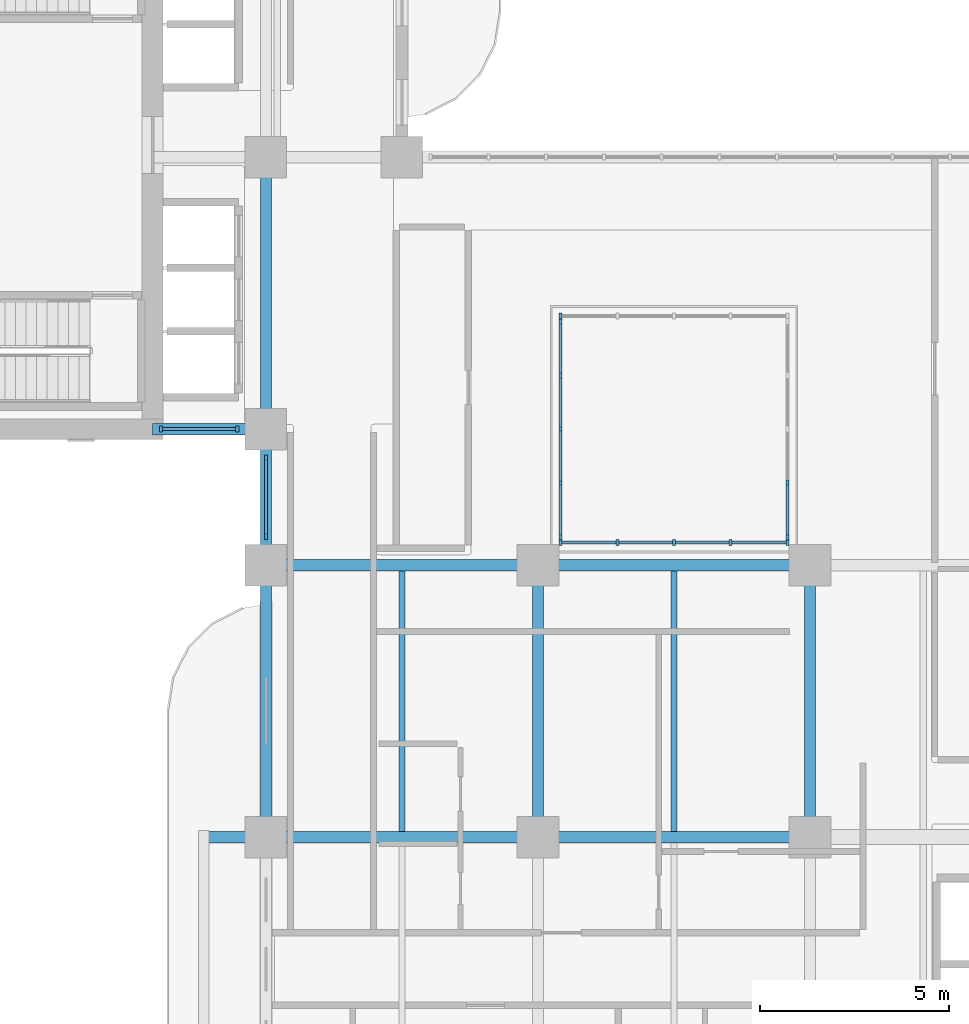
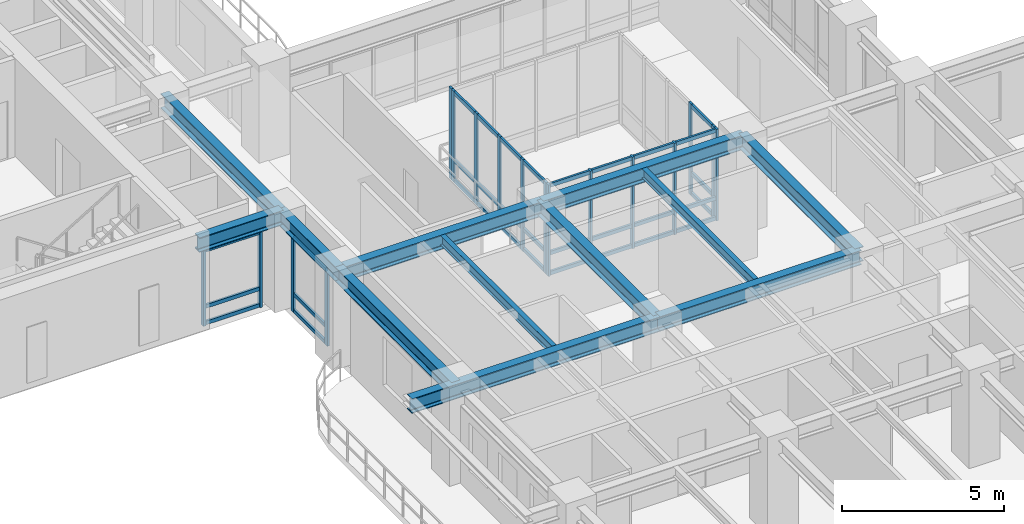
# One storey, part 2 of 22: 50 members, 12 beams, 6 elements without a shape of their own.
"""IFC4 building model written with IfcOpenShell, lengths in metres."""

from ifc_helpers import new_model, si_unit, derived_unit, direction, frame, origin, origin_2d, place, context, subcontext, project, spatial, rectangle, i_section, extrude, source, transform, mapped, material, layer, layer_set, material_profile, profile_set, type_object, type_shapes, element, aggregate, save


model = new_model("IFC4")

# Units and contexts
model_context = context("Model", 3, precision=1e-05, world=origin(), true_north=direction((0.0, 1.0)))
body_context = subcontext(model_context, "Body", "Model", "MODEL_VIEW")
ifc_project = project(units=[si_unit("LENGTHUNIT", "METRE"), si_unit("AREAUNIT", "SQUARE_METRE"), si_unit("VOLUMEUNIT", "CUBIC_METRE"), si_unit("PLANEANGLEUNIT", "RADIAN"), si_unit("MASSUNIT", "GRAM", prefix="KILO"), si_unit("THERMODYNAMICTEMPERATUREUNIT", "KELVIN"), si_unit("POWERUNIT", "WATT"), derived_unit("THERMALTRANSMITTANCEUNIT", [(si_unit("POWERUNIT", "WATT"), 1), (si_unit("AREAUNIT", "SQUARE_METRE"), -1), (si_unit("THERMODYNAMICTEMPERATUREUNIT", "KELVIN"), -1)])], contexts=[model_context])

# Site, building, storey
site_placement = place(None, origin())
site = spatial("IfcSite", under=ifc_project, at=site_placement, CompositionType="ELEMENT")
building_placement = place(site_placement, origin())
building = spatial("IfcBuilding", under=site, at=building_placement, Name="Zahravan Archway Hotel and Residences", CompositionType="ELEMENT")
storey_placement = place(building_placement, frame((0.0, 0.0, 91.60009765625)))
storey = spatial("IfcBuildingStorey", under=building, at=storey_placement, Name="L22", CompositionType="ELEMENT", Elevation=91.60009765625)

# Beams
ifc_material_1 = material(Name="Structural Steel S355JR", Category="steel")
ifc_material_profile_1 = material_profile(ifc_material_1, i_section(OverallWidth=0.300048828125, OverallDepth=0.550048828125, WebThickness=0.014892578125, FlangeThickness=0.029052734375, FilletRadius=0.027099609375, at=origin_2d()), Name="HEB 550", Category="steel")
ifc_profile_set_1 = profile_set([ifc_material_profile_1], Name="Structural Steel S355JR")
beam_type_1 = type_object("IfcBeamType", Name="BM-PRI-HEB550", PredefinedType="BEAM", material=ifc_profile_set_1)
shared_shape_1 = source(origin(), body_context, "Body", "SweptSolid", [
    extrude(i_section(OverallWidth=0.300048828125, OverallDepth=0.550048828125, WebThickness=0.014892578125, FlangeThickness=0.029052734375, FilletRadius=0.027099609375, at=origin_2d()), origin(), (0.0, 0.0, 1.0), 7.2001953125),
])
type_shapes(beam_type_1, [shared_shape_1])
for number, where, z_axis, x_axis, name in (
    (1, (14.39990234375, 21.60009765625, 3.1748046875), (1.0, 0.0, 0.0), (0.0, 1.0, 0.0), "L22 Primary Girder EW-14"),
    (2, (14.39990234375, 14.39990234375, 3.1748046875), (0.0, 1.0, 0.0), (-1.0, 0.0, 0.0), "L22 Primary Girder NS-34"),
    (3, (21.60009765625, 14.39990234375, 3.1748046875), (0.0, 1.0, 0.0), (-1.0, 0.0, 0.0), "L22 Primary Girder NS-41"),
    (4, (28.800048828125, 14.39990234375, 3.1748046875), (0.0, 1.0, 0.0), (-1.0, 0.0, 0.0), "L22 Primary Girder NS-44"),
):
    element("IfcBeam", number, at=place(storey_placement, frame(where, z_axis=z_axis, x_axis=x_axis)), inside=storey, type_object=beam_type_1, Name=name, PredefinedType="BEAM", context=body_context, shape_type="MappedRepresentation", body=[
        mapped(shared_shape_1, transform((0.0, 0.0, 0.0), scale=1.0)),
    ])
shared_shape_2 = source(origin(), body_context, "Body", "SweptSolid", [
    extrude(i_section(OverallWidth=0.300048828125, OverallDepth=0.550048828125, WebThickness=0.014892578125, FlangeThickness=0.029052734375, FilletRadius=0.027099609375, at=origin_2d()), origin(), (0.0, 0.0, 1.0), 7.199951171875),
])
for number, where, z_axis, x_axis, name in (
    (5, (21.60009765625, 14.39990234375, 3.1748046875), (1.0, 0.0, 0.0), (0.0, 1.0, 0.0), "L22 Primary Girder EW-12"),
    (6, (21.60009765625, 21.60009765625, 3.1748046875), (1.0, 0.0, 0.0), (0.0, 1.0, 0.0), "L22 Primary Girder EW-15"),
    (7, (14.39990234375, 25.199951171875, 3.1748046875), (0.0, 1.0, 0.0), (-1.0, 0.0, 0.0), "L22 Primary Girder NS-36"),
):
    element("IfcBeam", number, at=place(storey_placement, frame(where, z_axis=z_axis, x_axis=x_axis)), inside=storey, type_object=beam_type_1, Name=name, PredefinedType="BEAM", context=body_context, shape_type="MappedRepresentation", body=[
        mapped(shared_shape_2, transform((0.0, 0.0, 0.0), scale=1.0)),
    ])
shared_shape_3 = source(origin(), body_context, "Body", "SweptSolid", [
    extrude(i_section(OverallWidth=0.300048828125, OverallDepth=0.550048828125, WebThickness=0.014892578125, FlangeThickness=0.029052734375, FilletRadius=0.027099609375, at=origin_2d()), origin(), (0.0, 0.0, 1.0), 8.85009765625),
])
beam_1_placement = place(storey_placement, frame((12.75, 14.39990234375, 3.1748046875), z_axis=(1.0, 0.0, 0.0), x_axis=(0.0, 1.0, 0.0)))
element("IfcBeam", 8, at=beam_1_placement, inside=storey, type_object=beam_type_1, Name="L22 Primary Girder EW-11", PredefinedType="BEAM", context=body_context, shape_type="MappedRepresentation", body=[
    mapped(shared_shape_3, transform((0.0, 0.0, 0.0), scale=1.0)),
])
shared_shape_4 = source(origin(), body_context, "Body", "SweptSolid", [
    extrude(i_section(OverallWidth=0.300048828125, OverallDepth=0.550048828125, WebThickness=0.014892578125, FlangeThickness=0.029052734375, FilletRadius=0.027099609375, at=origin_2d()), origin(), (0.0, 0.0, 1.0), 3.0),
])
beam_2_placement = place(storey_placement, frame((11.39990234375, 25.199951171875, 3.1748046875), z_axis=(1.0, 0.0, 0.0), x_axis=(0.0, 1.0, 0.0)))
element("IfcBeam", 9, at=beam_2_placement, inside=storey, type_object=beam_type_1, Name="L22 Primary Girder EW-20", PredefinedType="BEAM", context=body_context, shape_type="MappedRepresentation", body=[
    mapped(shared_shape_4, transform((0.0, 0.0, 0.0), scale=1.0)),
])
shared_shape_5 = source(origin(), body_context, "Body", "SweptSolid", [
    extrude(i_section(OverallWidth=0.300048828125, OverallDepth=0.550048828125, WebThickness=0.014892578125, FlangeThickness=0.029052734375, FilletRadius=0.027099609375, at=origin_2d()), origin(), (0.0, 0.0, 1.0), 3.599853515625),
])
beam_3_placement = place(storey_placement, frame((14.39990234375, 21.60009765625, 3.1748046875), z_axis=(0.0, 1.0, 0.0), x_axis=(-1.0, 0.0, 0.0)))
element("IfcBeam", 10, at=beam_3_placement, inside=storey, type_object=beam_type_1, Name="L22 Primary Girder NS-35", PredefinedType="BEAM", context=body_context, shape_type="MappedRepresentation", body=[
    mapped(shared_shape_5, transform((0.0, 0.0, 0.0), scale=1.0)),
])
ifc_material_profile_2 = material_profile(ifc_material_1, i_section(OverallWidth=0.169921875, OverallDepth=0.360107421875, WebThickness=0.008056640625, FlangeThickness=0.0126953125, FilletRadius=0.01806640625, at=origin_2d()), Name="IPE 360", Category="steel")
ifc_profile_set_2 = profile_set([ifc_material_profile_2], Name="Structural Steel S355JR")
beam_type_2 = type_object("IfcBeamType", Name="BM-JST-IPE360", PredefinedType="JOIST", material=ifc_profile_set_2)
shared_shape_6 = source(origin(), body_context, "Body", "SweptSolid", [
    extrude(i_section(OverallWidth=0.169921875, OverallDepth=0.360107421875, WebThickness=0.008056640625, FlangeThickness=0.0126953125, FilletRadius=0.01806640625, at=origin_2d()), origin(), (0.0, 0.0, 1.0), 6.90380859375),
])
for number, where, z_axis, x_axis, name in (
    (11, (18.0, 14.548095703125, 3.27001953125), (0.0, 1.0, 0.0), (-1.0, 0.0, 0.0), "L22 Composite Floor Joist 10"),
    (12, (25.199951171875, 14.548095703125, 3.27001953125), (0.0, 1.0, 0.0), (-1.0, 0.0, 0.0), "L22 Composite Floor Joist 11"),
):
    element("IfcBeam", number, at=place(storey_placement, frame(where, z_axis=z_axis, x_axis=x_axis)), inside=storey, type_object=beam_type_2, Name=name, PredefinedType="JOIST", context=body_context, shape_type="MappedRepresentation", body=[
        mapped(shared_shape_6, transform((0.0, 0.0, 0.0), scale=1.0)),
    ])

# Curtain wall, members
ifc_material_2 = material(Name="Bronze-Anodized Unitised Aluminium & Low-E Glass", Category="aluminium")
ifc_layer = layer(ifc_material_2, 0.179931640625, Name="Bronze-Anodized Unitised Aluminium & Low-E Glass", Category="aluminium")
ifc_layer_set = layer_set([ifc_layer], Name="Bronze-Anodized Unitised Aluminium & Low-E Glass")
curtain_wall_type = type_object("IfcCurtainWallType", Name="CW-ATR-GLAZ", PredefinedType="NOTDEFINED", material=ifc_layer_set)
curtain_wall_1_placement = place(storey_placement, origin())
curtain_wall_1 = element("IfcCurtainWall", 13, at=curtain_wall_1_placement, inside=storey, type_object=curtain_wall_type, Name="L22 Curtain Wall CW-L22-WA-WLU-1", PredefinedType="NOTDEFINED")
ifc_material_3 = material(Name="Bronze-Anodized Extruded Aluminium", Category="aluminium")
ifc_material_profile_3 = material_profile(ifc_material_3, rectangle(XDim=0.080078125, YDim=0.159912109375, at=origin_2d()), Name="MUL 80x160", Category="aluminium")
ifc_profile_set_3 = profile_set([ifc_material_profile_3], Name="Bronze-Anodized Extruded Aluminium")
member_type_1 = type_object("IfcMemberType", Name="CWM-MUL-160", PredefinedType="MULLION", material=ifc_profile_set_3)
shared_shape_7 = source(origin(), body_context, "Body", "SweptSolid", [
    extrude(rectangle(XDim=0.080078125, YDim=0.159912109375, at=origin_2d()), origin(), (0.0, 0.0, 1.0), 2.885009765625),
])
member_1_placement = place(storey_placement, frame((14.39990234375, 22.360107421875, 0.0), z_axis=(0.0, 0.0, 1.0), x_axis=(1.0, 0.0, 0.0)))
member_1 = element("IfcMember", 14, at=member_1_placement, type_object=member_type_1, Name="CW-L22-WA-WLU-1 Mullion 0", PredefinedType="MULLION", context=body_context, shape_type="MappedRepresentation", body=[
    mapped(shared_shape_7, transform((0.0, 0.0, 0.0), scale=1.0)),
])
member_2_placement = place(storey_placement, frame((14.39990234375, 24.43994140625, 0.0), z_axis=(0.0, 0.0, 1.0), x_axis=(1.0, 0.0, 0.0)))
member_2 = element("IfcMember", 15, at=member_2_placement, type_object=member_type_1, Name="CW-L22-WA-WLU-1 Mullion 1", PredefinedType="MULLION", context=body_context, shape_type="MappedRepresentation", body=[
    mapped(shared_shape_7, transform((0.0, 0.0, 0.0), scale=1.0)),
])

curtain_wall_2_placement = place(storey_placement, origin())
curtain_wall_2 = element("IfcCurtainWall", 16, at=curtain_wall_2_placement, inside=storey, type_object=curtain_wall_type, Name="L22 Curtain Wall CW-L22-WB-SE-1", PredefinedType="NOTDEFINED")
member_3_placement = place(storey_placement, frame((11.6201171875, 25.199951171875, 0.0), z_axis=(0.0, 0.0, 1.0), x_axis=(1.0, 0.0, 0.0)))
member_3 = element("IfcMember", 17, at=member_3_placement, type_object=member_type_1, Name="CW-L22-WB-SE-1 Mullion 0", PredefinedType="MULLION", context=body_context, shape_type="MappedRepresentation", body=[
    mapped(shared_shape_7, transform((0.0, 0.0, 0.0), scale=1.0)),
])
member_4_placement = place(storey_placement, frame((13.639892578125, 25.199951171875, 0.0), z_axis=(0.0, 0.0, 1.0), x_axis=(1.0, 0.0, 0.0)))
member_4 = element("IfcMember", 18, at=member_4_placement, type_object=member_type_1, Name="CW-L22-WB-SE-1 Mullion 1", PredefinedType="MULLION", context=body_context, shape_type="MappedRepresentation", body=[
    mapped(shared_shape_7, transform((0.0, 0.0, 0.0), scale=1.0)),
])
ifc_material_profile_4 = material_profile(ifc_material_3, rectangle(XDim=0.080078125, YDim=0.139892578125, at=origin_2d()), Name="TRN 80x140", Category="aluminium")
ifc_profile_set_4 = profile_set([ifc_material_profile_4], Name="Bronze-Anodized Extruded Aluminium")
member_type_2 = type_object("IfcMemberType", Name="CWM-TRN-140", PredefinedType="USERDEFINED", material=ifc_profile_set_4)
shared_shape_8 = source(origin(), body_context, "Body", "SweptSolid", [
    extrude(rectangle(XDim=0.080078125, YDim=0.139892578125, at=origin_2d()), origin(), (0.0, 0.0, 1.0), 1.940185546875),
])
member_5_placement = place(storey_placement, frame((11.659912109375, 25.199951171875, 0.06982421875), z_axis=(1.0, 0.0, 0.0), x_axis=(0.0, 1.0, 0.0)))
member_5 = element("IfcMember", 19, at=member_5_placement, type_object=member_type_2, Name="CW-L22-WB-SE-1 Transom 0-1", ObjectType="TRANSOM", PredefinedType="USERDEFINED", context=body_context, shape_type="MappedRepresentation", body=[
    mapped(shared_shape_8, transform((0.0, 0.0, 0.0), scale=1.0)),
])
member_6_placement = place(storey_placement, frame((11.659912109375, 25.199951171875, 0.6923828125), z_axis=(1.0, 0.0, 0.0), x_axis=(0.0, 1.0, 0.0)))
member_6 = element("IfcMember", 20, at=member_6_placement, type_object=member_type_2, Name="CW-L22-WB-SE-1 Transom 0-2", ObjectType="TRANSOM", PredefinedType="USERDEFINED", context=body_context, shape_type="MappedRepresentation", body=[
    mapped(shared_shape_8, transform((0.0, 0.0, 0.0), scale=1.0)),
])
member_7_placement = place(storey_placement, frame((11.659912109375, 25.199951171875, 2.81494140625), z_axis=(1.0, 0.0, 0.0), x_axis=(0.0, 1.0, 0.0)))
member_7 = element("IfcMember", 21, at=member_7_placement, type_object=member_type_2, Name="CW-L22-WB-SE-1 Transom 0-3", ObjectType="TRANSOM", PredefinedType="USERDEFINED", context=body_context, shape_type="MappedRepresentation", body=[
    mapped(shared_shape_8, transform((0.0, 0.0, 0.0), scale=1.0)),
])
aggregate(curtain_wall_2, [member_3, member_4, member_5, member_6, member_7])

# Member
shared_shape_9 = source(origin(), body_context, "Body", "SweptSolid", [
    extrude(rectangle(XDim=0.080078125, YDim=0.139892578125, at=origin_2d()), origin(), (0.0, 0.0, 1.0), 2.0),
])
member_8_placement = place(storey_placement, frame((14.39990234375, 22.39990234375, 0.06982421875), z_axis=(0.0, 1.0, 0.0), x_axis=(-1.0, 0.0, 0.0)))
member_8 = element("IfcMember", 22, at=member_8_placement, type_object=member_type_2, Name="CW-L22-WA-WLU-1 Transom 0-1", ObjectType="TRANSOM", PredefinedType="USERDEFINED", context=body_context, shape_type="MappedRepresentation", body=[
    mapped(shared_shape_9, transform((0.0, 0.0, 0.0), scale=1.0)),
])

member_9_placement = place(storey_placement, frame((14.39990234375, 22.39990234375, 0.6923828125), z_axis=(0.0, 1.0, 0.0), x_axis=(-1.0, 0.0, 0.0)))
member_9 = element("IfcMember", 23, at=member_9_placement, type_object=member_type_2, Name="CW-L22-WA-WLU-1 Transom 0-2", ObjectType="TRANSOM", PredefinedType="USERDEFINED", context=body_context, shape_type="MappedRepresentation", body=[
    mapped(shared_shape_9, transform((0.0, 0.0, 0.0), scale=1.0)),
])

member_10_placement = place(storey_placement, frame((14.39990234375, 22.39990234375, 2.81494140625), z_axis=(0.0, 1.0, 0.0), x_axis=(-1.0, 0.0, 0.0)))
member_10 = element("IfcMember", 24, at=member_10_placement, type_object=member_type_2, Name="CW-L22-WA-WLU-1 Transom 0-3", ObjectType="TRANSOM", PredefinedType="USERDEFINED", context=body_context, shape_type="MappedRepresentation", body=[
    mapped(shared_shape_9, transform((0.0, 0.0, 0.0), scale=1.0)),
])

aggregate(curtain_wall_1, [member_1, member_2, member_8, member_9, member_10])

# Curtain wall, members
curtain_wall_3_placement = place(storey_placement, origin())
curtain_wall_3 = element("IfcCurtainWall", 25, at=curtain_wall_3_placement, inside=storey, type_object=curtain_wall_type, Name="L22 Curtain Wall CW-ATR-L22-S-1", PredefinedType="NOTDEFINED")
shared_shape_10 = source(origin(), body_context, "Body", "SweptSolid", [
    extrude(rectangle(XDim=0.080078125, YDim=0.159912109375, at=origin_2d()), origin(), (0.0, 0.0, 1.0), 3.449951171875),
])
member_11_placement = place(storey_placement, frame((22.199951171875, 22.199951171875, 0.0), z_axis=(0.0, 0.0, 1.0), x_axis=(1.0, 0.0, 0.0)))
member_11 = element("IfcMember", 26, at=member_11_placement, type_object=member_type_1, Name="CW-ATR-L22-S-1 Mullion 0", PredefinedType="MULLION", context=body_context, shape_type="MappedRepresentation", body=[
    mapped(shared_shape_10, transform((0.0, 0.0, 0.0), scale=1.0)),
])
member_12_placement = place(storey_placement, frame((23.699951171875, 22.199951171875, 0.0), z_axis=(0.0, 0.0, 1.0), x_axis=(1.0, 0.0, 0.0)))
member_12 = element("IfcMember", 27, at=member_12_placement, type_object=member_type_1, Name="CW-ATR-L22-S-1 Mullion 1", PredefinedType="MULLION", context=body_context, shape_type="MappedRepresentation", body=[
    mapped(shared_shape_10, transform((0.0, 0.0, 0.0), scale=1.0)),
])
member_13_placement = place(storey_placement, frame((25.199951171875, 22.199951171875, 0.0), z_axis=(0.0, 0.0, 1.0), x_axis=(1.0, 0.0, 0.0)))
member_13 = element("IfcMember", 28, at=member_13_placement, type_object=member_type_1, Name="CW-ATR-L22-S-1 Mullion 2", PredefinedType="MULLION", context=body_context, shape_type="MappedRepresentation", body=[
    mapped(shared_shape_10, transform((0.0, 0.0, 0.0), scale=1.0)),
])
member_14_placement = place(storey_placement, frame((26.699951171875, 22.199951171875, 0.0), z_axis=(0.0, 0.0, 1.0), x_axis=(1.0, 0.0, 0.0)))
member_14 = element("IfcMember", 29, at=member_14_placement, type_object=member_type_1, Name="CW-ATR-L22-S-1 Mullion 3", PredefinedType="MULLION", context=body_context, shape_type="MappedRepresentation", body=[
    mapped(shared_shape_10, transform((0.0, 0.0, 0.0), scale=1.0)),
])
member_15_placement = place(storey_placement, frame((28.199951171875, 22.199951171875, 0.0), z_axis=(0.0, 0.0, 1.0), x_axis=(1.0, 0.0, 0.0)))
member_15 = element("IfcMember", 30, at=member_15_placement, type_object=member_type_1, Name="CW-ATR-L22-S-1 Mullion 4", PredefinedType="MULLION", context=body_context, shape_type="MappedRepresentation", body=[
    mapped(shared_shape_10, transform((0.0, 0.0, 0.0), scale=1.0)),
])

# Curtain wall, member
curtain_wall_4_placement = place(storey_placement, origin())
curtain_wall_4 = element("IfcCurtainWall", 31, at=curtain_wall_4_placement, inside=storey, type_object=curtain_wall_type, Name="L22 Curtain Wall CW-ATR-L22-N-1", PredefinedType="NOTDEFINED")
member_16_placement = place(storey_placement, frame((22.199951171875, 28.199951171875, 0.0), z_axis=(0.0, 0.0, 1.0), x_axis=(1.0, 0.0, 0.0)))
member_16 = element("IfcMember", 32, at=member_16_placement, type_object=member_type_1, Name="CW-ATR-L22-N-1 Mullion 0", PredefinedType="MULLION", context=body_context, shape_type="MappedRepresentation", body=[
    mapped(shared_shape_10, transform((0.0, 0.0, 0.0), scale=1.0)),
])
aggregate(curtain_wall_4, [member_16])

# Curtain wall, members
curtain_wall_5_placement = place(storey_placement, origin())
curtain_wall_5 = element("IfcCurtainWall", 33, at=curtain_wall_5_placement, inside=storey, type_object=curtain_wall_type, Name="L22 Curtain Wall CW-ATR-L22-W-1", PredefinedType="NOTDEFINED")
member_17_placement = place(storey_placement, frame((22.199951171875, 22.35009765625, 0.0), z_axis=(0.0, 0.0, 1.0), x_axis=(1.0, 0.0, 0.0)))
member_17 = element("IfcMember", 34, at=member_17_placement, type_object=member_type_1, Name="CW-ATR-L22-W-1 Mullion 0", PredefinedType="MULLION", context=body_context, shape_type="MappedRepresentation", body=[
    mapped(shared_shape_10, transform((0.0, 0.0, 0.0), scale=1.0)),
])
member_18_placement = place(storey_placement, frame((22.199951171875, 23.77490234375, 0.0), z_axis=(0.0, 0.0, 1.0), x_axis=(1.0, 0.0, 0.0)))
member_18 = element("IfcMember", 35, at=member_18_placement, type_object=member_type_1, Name="CW-ATR-L22-W-1 Mullion 1", PredefinedType="MULLION", context=body_context, shape_type="MappedRepresentation", body=[
    mapped(shared_shape_10, transform((0.0, 0.0, 0.0), scale=1.0)),
])
member_19_placement = place(storey_placement, frame((22.199951171875, 25.199951171875, 0.0), z_axis=(0.0, 0.0, 1.0), x_axis=(1.0, 0.0, 0.0)))
member_19 = element("IfcMember", 36, at=member_19_placement, type_object=member_type_1, Name="CW-ATR-L22-W-1 Mullion 2", PredefinedType="MULLION", context=body_context, shape_type="MappedRepresentation", body=[
    mapped(shared_shape_10, transform((0.0, 0.0, 0.0), scale=1.0)),
])
member_20_placement = place(storey_placement, frame((22.199951171875, 26.625, 0.0), z_axis=(0.0, 0.0, 1.0), x_axis=(1.0, 0.0, 0.0)))
member_20 = element("IfcMember", 37, at=member_20_placement, type_object=member_type_1, Name="CW-ATR-L22-W-1 Mullion 3", PredefinedType="MULLION", context=body_context, shape_type="MappedRepresentation", body=[
    mapped(shared_shape_10, transform((0.0, 0.0, 0.0), scale=1.0)),
])
member_21_placement = place(storey_placement, frame((22.199951171875, 28.050048828125, 0.0), z_axis=(0.0, 0.0, 1.0), x_axis=(1.0, 0.0, 0.0)))
member_21 = element("IfcMember", 38, at=member_21_placement, type_object=member_type_1, Name="CW-ATR-L22-W-1 Mullion 4", PredefinedType="MULLION", context=body_context, shape_type="MappedRepresentation", body=[
    mapped(shared_shape_10, transform((0.0, 0.0, 0.0), scale=1.0)),
])

curtain_wall_6_placement = place(storey_placement, origin())
curtain_wall_6 = element("IfcCurtainWall", 39, at=curtain_wall_6_placement, inside=storey, type_object=curtain_wall_type, Name="L22 Curtain Wall CW-ATR-L22-E-1", PredefinedType="NOTDEFINED")
member_22_placement = place(storey_placement, frame((28.199951171875, 22.35009765625, 0.0), z_axis=(0.0, 0.0, 1.0), x_axis=(1.0, 0.0, 0.0)))
member_22 = element("IfcMember", 40, at=member_22_placement, type_object=member_type_1, Name="CW-ATR-L22-E-1 Mullion 0", PredefinedType="MULLION", context=body_context, shape_type="MappedRepresentation", body=[
    mapped(shared_shape_10, transform((0.0, 0.0, 0.0), scale=1.0)),
])
member_23_placement = place(storey_placement, frame((28.199951171875, 23.77490234375, 0.0), z_axis=(0.0, 0.0, 1.0), x_axis=(1.0, 0.0, 0.0)))
member_23 = element("IfcMember", 41, at=member_23_placement, type_object=member_type_1, Name="CW-ATR-L22-E-1 Mullion 1", PredefinedType="MULLION", context=body_context, shape_type="MappedRepresentation", body=[
    mapped(shared_shape_10, transform((0.0, 0.0, 0.0), scale=1.0)),
])

# Member
shared_shape_11 = source(origin(), body_context, "Body", "SweptSolid", [
    extrude(rectangle(XDim=0.080078125, YDim=0.139892578125, at=origin_2d()), origin(), (0.0, 0.0, 1.0), 1.419921875),
])
member_24_placement = place(storey_placement, frame((22.239990234375, 22.199951171875, 0.06982421875), z_axis=(1.0, 0.0, 0.0), x_axis=(0.0, 1.0, 0.0)))
member_24 = element("IfcMember", 42, at=member_24_placement, type_object=member_type_2, Name="CW-ATR-L22-S-1 Transom 0-1", ObjectType="TRANSOM", PredefinedType="USERDEFINED", context=body_context, shape_type="MappedRepresentation", body=[
    mapped(shared_shape_11, transform((0.0, 0.0, 0.0), scale=1.0)),
])

member_25_placement = place(storey_placement, frame((22.239990234375, 22.199951171875, 0.827880859375), z_axis=(1.0, 0.0, 0.0), x_axis=(0.0, 1.0, 0.0)))
member_25 = element("IfcMember", 43, at=member_25_placement, type_object=member_type_2, Name="CW-ATR-L22-S-1 Transom 0-2", ObjectType="TRANSOM", PredefinedType="USERDEFINED", context=body_context, shape_type="MappedRepresentation", body=[
    mapped(shared_shape_11, transform((0.0, 0.0, 0.0), scale=1.0)),
])

member_26_placement = place(storey_placement, frame((22.239990234375, 22.199951171875, 3.3798828125), z_axis=(1.0, 0.0, 0.0), x_axis=(0.0, 1.0, 0.0)))
member_26 = element("IfcMember", 44, at=member_26_placement, type_object=member_type_2, Name="CW-ATR-L22-S-1 Transom 0-3", ObjectType="TRANSOM", PredefinedType="USERDEFINED", context=body_context, shape_type="MappedRepresentation", body=[
    mapped(shared_shape_11, transform((0.0, 0.0, 0.0), scale=1.0)),
])

member_27_placement = place(storey_placement, frame((23.739990234375, 22.199951171875, 0.06982421875), z_axis=(1.0, 0.0, 0.0), x_axis=(0.0, 1.0, 0.0)))
member_27 = element("IfcMember", 45, at=member_27_placement, type_object=member_type_2, Name="CW-ATR-L22-S-1 Transom 1-1", ObjectType="TRANSOM", PredefinedType="USERDEFINED", context=body_context, shape_type="MappedRepresentation", body=[
    mapped(shared_shape_11, transform((0.0, 0.0, 0.0), scale=1.0)),
])

member_28_placement = place(storey_placement, frame((23.739990234375, 22.199951171875, 0.827880859375), z_axis=(1.0, 0.0, 0.0), x_axis=(0.0, 1.0, 0.0)))
member_28 = element("IfcMember", 46, at=member_28_placement, type_object=member_type_2, Name="CW-ATR-L22-S-1 Transom 1-2", ObjectType="TRANSOM", PredefinedType="USERDEFINED", context=body_context, shape_type="MappedRepresentation", body=[
    mapped(shared_shape_11, transform((0.0, 0.0, 0.0), scale=1.0)),
])

member_29_placement = place(storey_placement, frame((23.739990234375, 22.199951171875, 3.3798828125), z_axis=(1.0, 0.0, 0.0), x_axis=(0.0, 1.0, 0.0)))
member_29 = element("IfcMember", 47, at=member_29_placement, type_object=member_type_2, Name="CW-ATR-L22-S-1 Transom 1-3", ObjectType="TRANSOM", PredefinedType="USERDEFINED", context=body_context, shape_type="MappedRepresentation", body=[
    mapped(shared_shape_11, transform((0.0, 0.0, 0.0), scale=1.0)),
])

member_30_placement = place(storey_placement, frame((25.239990234375, 22.199951171875, 0.06982421875), z_axis=(1.0, 0.0, 0.0), x_axis=(0.0, 1.0, 0.0)))
member_30 = element("IfcMember", 48, at=member_30_placement, type_object=member_type_2, Name="CW-ATR-L22-S-1 Transom 2-1", ObjectType="TRANSOM", PredefinedType="USERDEFINED", context=body_context, shape_type="MappedRepresentation", body=[
    mapped(shared_shape_11, transform((0.0, 0.0, 0.0), scale=1.0)),
])

member_31_placement = place(storey_placement, frame((25.239990234375, 22.199951171875, 0.827880859375), z_axis=(1.0, 0.0, 0.0), x_axis=(0.0, 1.0, 0.0)))
member_31 = element("IfcMember", 49, at=member_31_placement, type_object=member_type_2, Name="CW-ATR-L22-S-1 Transom 2-2", ObjectType="TRANSOM", PredefinedType="USERDEFINED", context=body_context, shape_type="MappedRepresentation", body=[
    mapped(shared_shape_11, transform((0.0, 0.0, 0.0), scale=1.0)),
])

member_32_placement = place(storey_placement, frame((25.239990234375, 22.199951171875, 3.3798828125), z_axis=(1.0, 0.0, 0.0), x_axis=(0.0, 1.0, 0.0)))
member_32 = element("IfcMember", 50, at=member_32_placement, type_object=member_type_2, Name="CW-ATR-L22-S-1 Transom 2-3", ObjectType="TRANSOM", PredefinedType="USERDEFINED", context=body_context, shape_type="MappedRepresentation", body=[
    mapped(shared_shape_11, transform((0.0, 0.0, 0.0), scale=1.0)),
])

member_33_placement = place(storey_placement, frame((26.739990234375, 22.199951171875, 0.06982421875), z_axis=(1.0, 0.0, 0.0), x_axis=(0.0, 1.0, 0.0)))
member_33 = element("IfcMember", 51, at=member_33_placement, type_object=member_type_2, Name="CW-ATR-L22-S-1 Transom 3-1", ObjectType="TRANSOM", PredefinedType="USERDEFINED", context=body_context, shape_type="MappedRepresentation", body=[
    mapped(shared_shape_11, transform((0.0, 0.0, 0.0), scale=1.0)),
])

member_34_placement = place(storey_placement, frame((26.739990234375, 22.199951171875, 0.827880859375), z_axis=(1.0, 0.0, 0.0), x_axis=(0.0, 1.0, 0.0)))
member_34 = element("IfcMember", 52, at=member_34_placement, type_object=member_type_2, Name="CW-ATR-L22-S-1 Transom 3-2", ObjectType="TRANSOM", PredefinedType="USERDEFINED", context=body_context, shape_type="MappedRepresentation", body=[
    mapped(shared_shape_11, transform((0.0, 0.0, 0.0), scale=1.0)),
])

member_35_placement = place(storey_placement, frame((26.739990234375, 22.199951171875, 3.3798828125), z_axis=(1.0, 0.0, 0.0), x_axis=(0.0, 1.0, 0.0)))
member_35 = element("IfcMember", 53, at=member_35_placement, type_object=member_type_2, Name="CW-ATR-L22-S-1 Transom 3-3", ObjectType="TRANSOM", PredefinedType="USERDEFINED", context=body_context, shape_type="MappedRepresentation", body=[
    mapped(shared_shape_11, transform((0.0, 0.0, 0.0), scale=1.0)),
])

aggregate(curtain_wall_3, [member_11, member_12, member_13, member_14, member_15, member_24, member_25, member_26, member_27, member_28, member_29, member_30, member_31, member_32, member_33, member_34, member_35])

shared_shape_12 = source(origin(), body_context, "Body", "SweptSolid", [
    extrude(rectangle(XDim=0.080078125, YDim=0.139892578125, at=origin_2d()), origin(), (0.0, 0.0, 1.0), 1.34521484375),
])
member_36_placement = place(storey_placement, frame((22.199951171875, 22.389892578125, 0.06982421875), z_axis=(0.0, 1.0, 0.0), x_axis=(-1.0, 0.0, 0.0)))
member_36 = element("IfcMember", 54, at=member_36_placement, type_object=member_type_2, Name="CW-ATR-L22-W-1 Transom 0-1", ObjectType="TRANSOM", PredefinedType="USERDEFINED", context=body_context, shape_type="MappedRepresentation", body=[
    mapped(shared_shape_12, transform((0.0, 0.0, 0.0), scale=1.0)),
])

member_37_placement = place(storey_placement, frame((22.199951171875, 22.389892578125, 0.827880859375), z_axis=(0.0, 1.0, 0.0), x_axis=(-1.0, 0.0, 0.0)))
member_37 = element("IfcMember", 55, at=member_37_placement, type_object=member_type_2, Name="CW-ATR-L22-W-1 Transom 0-2", ObjectType="TRANSOM", PredefinedType="USERDEFINED", context=body_context, shape_type="MappedRepresentation", body=[
    mapped(shared_shape_12, transform((0.0, 0.0, 0.0), scale=1.0)),
])

member_38_placement = place(storey_placement, frame((22.199951171875, 22.389892578125, 3.3798828125), z_axis=(0.0, 1.0, 0.0), x_axis=(-1.0, 0.0, 0.0)))
member_38 = element("IfcMember", 56, at=member_38_placement, type_object=member_type_2, Name="CW-ATR-L22-W-1 Transom 0-3", ObjectType="TRANSOM", PredefinedType="USERDEFINED", context=body_context, shape_type="MappedRepresentation", body=[
    mapped(shared_shape_12, transform((0.0, 0.0, 0.0), scale=1.0)),
])

member_39_placement = place(storey_placement, frame((28.199951171875, 22.389892578125, 0.06982421875), z_axis=(0.0, 1.0, 0.0), x_axis=(-1.0, 0.0, 0.0)))
member_39 = element("IfcMember", 57, at=member_39_placement, type_object=member_type_2, Name="CW-ATR-L22-E-1 Transom 0-1", ObjectType="TRANSOM", PredefinedType="USERDEFINED", context=body_context, shape_type="MappedRepresentation", body=[
    mapped(shared_shape_12, transform((0.0, 0.0, 0.0), scale=1.0)),
])

member_40_placement = place(storey_placement, frame((28.199951171875, 22.389892578125, 0.827880859375), z_axis=(0.0, 1.0, 0.0), x_axis=(-1.0, 0.0, 0.0)))
member_40 = element("IfcMember", 58, at=member_40_placement, type_object=member_type_2, Name="CW-ATR-L22-E-1 Transom 0-2", ObjectType="TRANSOM", PredefinedType="USERDEFINED", context=body_context, shape_type="MappedRepresentation", body=[
    mapped(shared_shape_12, transform((0.0, 0.0, 0.0), scale=1.0)),
])

member_41_placement = place(storey_placement, frame((28.199951171875, 22.389892578125, 3.3798828125), z_axis=(0.0, 1.0, 0.0), x_axis=(-1.0, 0.0, 0.0)))
member_41 = element("IfcMember", 59, at=member_41_placement, type_object=member_type_2, Name="CW-ATR-L22-E-1 Transom 0-3", ObjectType="TRANSOM", PredefinedType="USERDEFINED", context=body_context, shape_type="MappedRepresentation", body=[
    mapped(shared_shape_12, transform((0.0, 0.0, 0.0), scale=1.0)),
])

aggregate(curtain_wall_6, [member_22, member_23, member_39, member_40, member_41])

shared_shape_13 = source(origin(), body_context, "Body", "SweptSolid", [
    extrude(rectangle(XDim=0.080078125, YDim=0.139892578125, at=origin_2d()), origin(), (0.0, 0.0, 1.0), 1.344970703125),
])
member_42_placement = place(storey_placement, frame((22.199951171875, 23.81494140625, 0.06982421875), z_axis=(0.0, 1.0, 0.0), x_axis=(-1.0, 0.0, 0.0)))
member_42 = element("IfcMember", 60, at=member_42_placement, type_object=member_type_2, Name="CW-ATR-L22-W-1 Transom 1-1", ObjectType="TRANSOM", PredefinedType="USERDEFINED", context=body_context, shape_type="MappedRepresentation", body=[
    mapped(shared_shape_13, transform((0.0, 0.0, 0.0), scale=1.0)),
])

member_43_placement = place(storey_placement, frame((22.199951171875, 23.81494140625, 0.827880859375), z_axis=(0.0, 1.0, 0.0), x_axis=(-1.0, 0.0, 0.0)))
member_43 = element("IfcMember", 61, at=member_43_placement, type_object=member_type_2, Name="CW-ATR-L22-W-1 Transom 1-2", ObjectType="TRANSOM", PredefinedType="USERDEFINED", context=body_context, shape_type="MappedRepresentation", body=[
    mapped(shared_shape_13, transform((0.0, 0.0, 0.0), scale=1.0)),
])

member_44_placement = place(storey_placement, frame((22.199951171875, 23.81494140625, 3.3798828125), z_axis=(0.0, 1.0, 0.0), x_axis=(-1.0, 0.0, 0.0)))
member_44 = element("IfcMember", 62, at=member_44_placement, type_object=member_type_2, Name="CW-ATR-L22-W-1 Transom 1-3", ObjectType="TRANSOM", PredefinedType="USERDEFINED", context=body_context, shape_type="MappedRepresentation", body=[
    mapped(shared_shape_13, transform((0.0, 0.0, 0.0), scale=1.0)),
])

member_45_placement = place(storey_placement, frame((22.199951171875, 25.239990234375, 0.06982421875), z_axis=(0.0, 1.0, 0.0), x_axis=(-1.0, 0.0, 0.0)))
member_45 = element("IfcMember", 63, at=member_45_placement, type_object=member_type_2, Name="CW-ATR-L22-W-1 Transom 2-1", ObjectType="TRANSOM", PredefinedType="USERDEFINED", context=body_context, shape_type="MappedRepresentation", body=[
    mapped(shared_shape_13, transform((0.0, 0.0, 0.0), scale=1.0)),
])

member_46_placement = place(storey_placement, frame((22.199951171875, 25.239990234375, 0.827880859375), z_axis=(0.0, 1.0, 0.0), x_axis=(-1.0, 0.0, 0.0)))
member_46 = element("IfcMember", 64, at=member_46_placement, type_object=member_type_2, Name="CW-ATR-L22-W-1 Transom 2-2", ObjectType="TRANSOM", PredefinedType="USERDEFINED", context=body_context, shape_type="MappedRepresentation", body=[
    mapped(shared_shape_13, transform((0.0, 0.0, 0.0), scale=1.0)),
])

member_47_placement = place(storey_placement, frame((22.199951171875, 25.239990234375, 3.3798828125), z_axis=(0.0, 1.0, 0.0), x_axis=(-1.0, 0.0, 0.0)))
member_47 = element("IfcMember", 65, at=member_47_placement, type_object=member_type_2, Name="CW-ATR-L22-W-1 Transom 2-3", ObjectType="TRANSOM", PredefinedType="USERDEFINED", context=body_context, shape_type="MappedRepresentation", body=[
    mapped(shared_shape_13, transform((0.0, 0.0, 0.0), scale=1.0)),
])

member_48_placement = place(storey_placement, frame((22.199951171875, 26.6650390625, 0.06982421875), z_axis=(0.0, 1.0, 0.0), x_axis=(-1.0, 0.0, 0.0)))
member_48 = element("IfcMember", 66, at=member_48_placement, type_object=member_type_2, Name="CW-ATR-L22-W-1 Transom 3-1", ObjectType="TRANSOM", PredefinedType="USERDEFINED", context=body_context, shape_type="MappedRepresentation", body=[
    mapped(shared_shape_13, transform((0.0, 0.0, 0.0), scale=1.0)),
])

member_49_placement = place(storey_placement, frame((22.199951171875, 26.6650390625, 0.827880859375), z_axis=(0.0, 1.0, 0.0), x_axis=(-1.0, 0.0, 0.0)))
member_49 = element("IfcMember", 67, at=member_49_placement, type_object=member_type_2, Name="CW-ATR-L22-W-1 Transom 3-2", ObjectType="TRANSOM", PredefinedType="USERDEFINED", context=body_context, shape_type="MappedRepresentation", body=[
    mapped(shared_shape_13, transform((0.0, 0.0, 0.0), scale=1.0)),
])

member_50_placement = place(storey_placement, frame((22.199951171875, 26.6650390625, 3.3798828125), z_axis=(0.0, 1.0, 0.0), x_axis=(-1.0, 0.0, 0.0)))
member_50 = element("IfcMember", 68, at=member_50_placement, type_object=member_type_2, Name="CW-ATR-L22-W-1 Transom 3-3", ObjectType="TRANSOM", PredefinedType="USERDEFINED", context=body_context, shape_type="MappedRepresentation", body=[
    mapped(shared_shape_13, transform((0.0, 0.0, 0.0), scale=1.0)),
])

aggregate(curtain_wall_5, [member_17, member_18, member_19, member_20, member_21, member_36, member_37, member_38, member_42, member_43, member_44, member_45, member_46, member_47, member_48, member_49, member_50])

save(model, "model.ifc")
